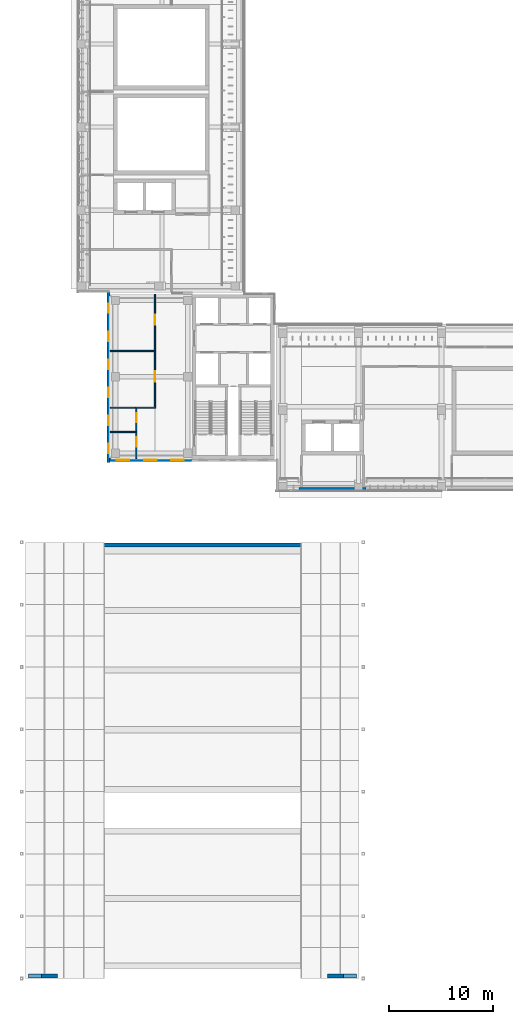
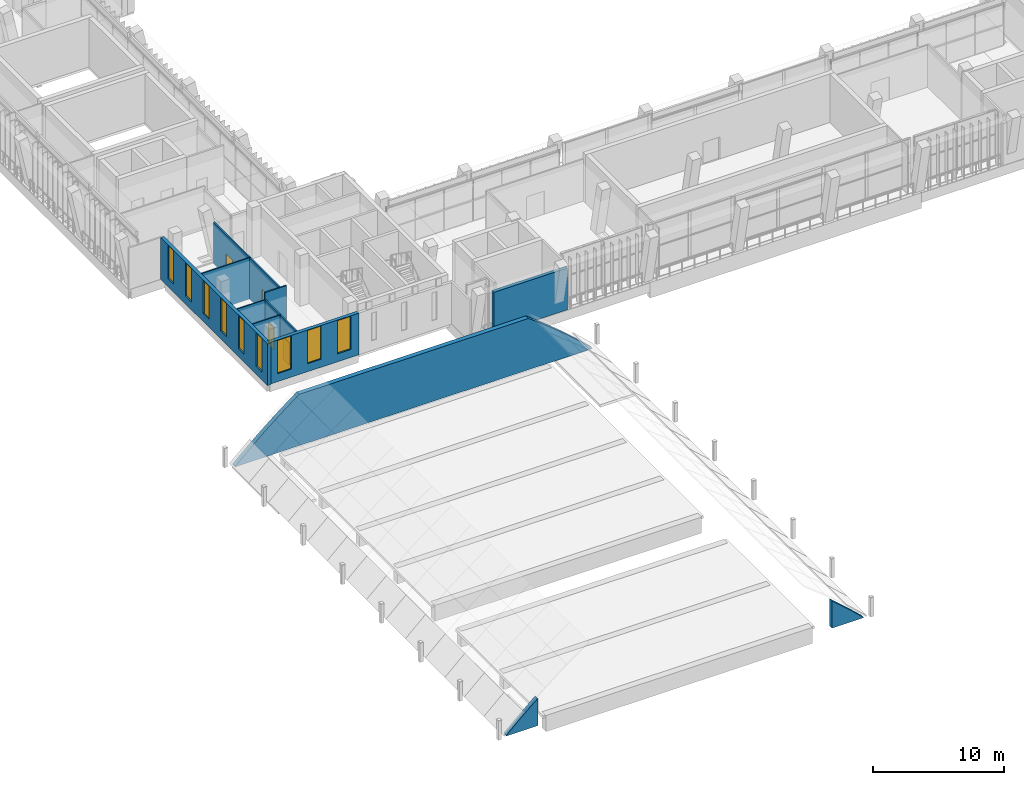
# One storey, part 57 of 89: 12 walls, 9 windows, 4 doors, 13 openings.
"""IFC4 building model written with IfcOpenShell, lengths in metres."""

from ifc_helpers import new_model, si_unit, direction, frame, frame_2d, origin, place, context, subcontext, project, spatial, polyline, rectangle, outline, extrude, material, layer, layer_set, type_object, element, fill, save


model = new_model("IFC4")

# Units and contexts
model_context = context("Model", 3, precision=1e-05, world=origin(), true_north=direction((0.0, 1.0)))
body_context = subcontext(model_context, "Body", "Model", "MODEL_VIEW")
ifc_project = project(units=[si_unit("LENGTHUNIT", "METRE"), si_unit("AREAUNIT", "SQUARE_METRE"), si_unit("VOLUMEUNIT", "CUBIC_METRE"), si_unit("PLANEANGLEUNIT", "RADIAN"), si_unit("MASSUNIT", "GRAM", prefix="KILO")], contexts=[model_context])

# Site, building, storey
site_placement = place(None, origin())
site = spatial("IfcSite", under=ifc_project, at=site_placement, CompositionType="ELEMENT")
building_placement = place(site_placement, origin())
building = spatial("IfcBuilding", under=site, at=building_placement, Name="Lantern Court Media Centre", CompositionType="ELEMENT")
storey_placement = place(building_placement, frame((0.0, 0.0, 14.39990234375)))
storey = spatial("IfcBuildingStorey", under=building, at=storey_placement, Name="L03", CompositionType="ELEMENT", Elevation=14.39990234375)

# Wall, openings, doors
ifc_material_1 = material(Name="Gypsum board partition")
ifc_layer_1 = layer(ifc_material_1, 0.125)
ifc_layer_set_1 = layer_set([ifc_layer_1], Name="Gypsum board partition")
wall_type_1 = type_object("IfcWallType", Name="Corridor partition 125", PredefinedType="PARTITIONING", material=ifc_layer_set_1)
wall_1_placement = place(storey_placement, frame((12.39990234375, 53.034912109375, 0.0), z_axis=(0.0, 0.0, 1.0), x_axis=(0.0, 1.0, 0.0)))
wall_1 = element("IfcWall", 1, at=wall_1_placement, inside=storey, type_object=wall_type_1, Name="L03 partition 046", PredefinedType="PARTITIONING", context=body_context, shape_type="SweptSolid", body=[
    extrude(rectangle(XDim=10.864990234375, YDim=0.125, at=frame_2d((5.4326171875, 0.0))), origin(), (0.0, 0.0, 1.0), 3.880126953125),
])
opening_1_placement = place(wall_1_placement, frame((2.4443359375, 0.0, 0.0)))
opening_1 = element("IfcOpeningElement", 2, at=opening_1_placement, cuts=wall_1, Name="Opening L03-034", PredefinedType="OPENING", context=body_context, shape_type="SweptSolid", body=[
    extrude(rectangle(XDim=1.0, YDim=2.10009765625, at=frame_2d((0.5, 1.050048828125))), frame((0.0, 0.072509765625, 0.0), z_axis=(0.0, -1.0, 0.0), x_axis=(1.0, 0.0, 0.0)), (0.0, 0.0, 1.0), 0.14501953125),
])
opening_2_placement = place(wall_1_placement, frame((7.908203125, 0.0, 0.0)))
opening_2 = element("IfcOpeningElement", 3, at=opening_2_placement, cuts=wall_1, Name="Opening L03-035", PredefinedType="OPENING", context=body_context, shape_type="SweptSolid", body=[
    extrude(rectangle(XDim=1.0, YDim=2.10009765625, at=frame_2d((0.5, 1.050048828125))), frame((0.0, 0.072509765625, 0.0), z_axis=(0.0, -1.0, 0.0), x_axis=(1.0, 0.0, 0.0)), (0.0, 0.0, 1.0), 0.14501953125),
])
ifc_material_2 = material(Name="Solid-core timber door leaf", Category="wood")
door_type_1 = type_object("IfcDoorType", Name="Single door 1000x2100", OperationType="NOTDEFINED", PredefinedType="DOOR", material=ifc_material_2)
door_1_placement = place(opening_1_placement, origin())
door_1 = element("IfcDoor", 4, at=door_1_placement, inside=storey, type_object=door_type_1, Name="L03 Media Library Reading Room 05 door", OperationType="SINGLE_SWING_LEFT", OverallHeight=2.10009765625, OverallWidth=1.0, PredefinedType="DOOR", context=body_context, shape_type="SweptSolid", body=[
    extrude(rectangle(XDim=1.0, YDim=2.10009765625, at=frame_2d((0.5, 1.050048828125))), frame((0.0, 0.02490234375, 0.0), z_axis=(0.0, -1.0, 0.0), x_axis=(1.0, 0.0, 0.0)), (0.0, 0.0, 1.0), 0.050048828125),
])
fill(opening_1, door_1)
door_2_placement = place(opening_2_placement, origin())
door_2 = element("IfcDoor", 5, at=door_2_placement, inside=storey, type_object=door_type_1, Name="L03 Media Library Reading Room 06 door", OperationType="SINGLE_SWING_RIGHT", OverallHeight=2.10009765625, OverallWidth=1.0, PredefinedType="DOOR", context=body_context, shape_type="SweptSolid", body=[
    extrude(rectangle(XDim=1.0, YDim=2.10009765625, at=frame_2d((0.5, 1.050048828125))), frame((0.0, 0.02490234375, 0.0), z_axis=(0.0, -1.0, 0.0), x_axis=(1.0, 0.0, 0.0)), (0.0, 0.0, 1.0), 0.050048828125),
])
fill(opening_2, door_2)

# Wall
wall_2_placement = place(storey_placement, frame((10.53759765625, 52.971923828125, 0.0), z_axis=(0.0, 0.0, 1.0), x_axis=(1.0, 0.0, 0.0)))
element("IfcWall", 6, at=wall_2_placement, inside=storey, type_object=wall_type_1, Name="L03 partition 049", PredefinedType="PARTITIONING", context=body_context, shape_type="SweptSolid", body=[
    extrude(rectangle(XDim=1.9248046875, YDim=0.125, at=frame_2d((0.96240234375, 0.0))), origin(), (0.0, 0.0, 1.0), 4.56005859375),
])

# Wall, openings, doors
wall_3_placement = place(storey_placement, frame((10.60009765625, 48.080078125, 0.0), z_axis=(0.0, 0.0, 1.0), x_axis=(0.0, 1.0, 0.0)))
wall_3 = element("IfcWall", 7, at=wall_3_placement, inside=storey, type_object=wall_type_1, Name="L03 partition 051", PredefinedType="PARTITIONING", context=body_context, shape_type="SweptSolid", body=[
    extrude(rectangle(XDim=4.829833984375, YDim=0.125, at=frame_2d((2.4150390625, 0.0))), origin(), (0.0, 0.0, 1.0), 3.880126953125),
])
opening_3_placement = place(wall_3_placement, frame((1.136474609375, 0.0, 0.0)))
opening_3 = element("IfcOpeningElement", 8, at=opening_3_placement, cuts=wall_3, Name="Opening L03-036", PredefinedType="OPENING", context=body_context, shape_type="SweptSolid", body=[
    extrude(rectangle(XDim=0.89990234375, YDim=2.10009765625, at=frame_2d((0.449951171875, 1.050048828125))), frame((0.0, 0.072509765625, 0.0), z_axis=(0.0, -1.0, 0.0), x_axis=(1.0, 0.0, 0.0)), (0.0, 0.0, 1.0), 0.14501953125),
])
opening_4_placement = place(wall_3_placement, frame((3.47265625, 0.0, 0.0)))
opening_4 = element("IfcOpeningElement", 9, at=opening_4_placement, cuts=wall_3, Name="Opening L03-037", PredefinedType="OPENING", context=body_context, shape_type="SweptSolid", body=[
    extrude(rectangle(XDim=0.89990234375, YDim=2.10009765625, at=frame_2d((0.449951171875, 1.050048828125))), frame((0.0, 0.072509765625, 0.0), z_axis=(0.0, -1.0, 0.0), x_axis=(1.0, 0.0, 0.0)), (0.0, 0.0, 1.0), 0.14501953125),
])
door_type_2 = type_object("IfcDoorType", Name="Single door 900x2100", OperationType="NOTDEFINED", PredefinedType="DOOR", material=ifc_material_2)
door_3_placement = place(opening_3_placement, origin())
door_3 = element("IfcDoor", 10, at=door_3_placement, inside=storey, type_object=door_type_2, Name="L03 WC Male door", OperationType="SINGLE_SWING_LEFT", OverallHeight=2.10009765625, OverallWidth=0.89990234375, PredefinedType="DOOR", context=body_context, shape_type="SweptSolid", body=[
    extrude(rectangle(XDim=0.89990234375, YDim=2.10009765625, at=frame_2d((0.449951171875, 1.050048828125))), frame((0.0, 0.02490234375, 0.0), z_axis=(0.0, -1.0, 0.0), x_axis=(1.0, 0.0, 0.0)), (0.0, 0.0, 1.0), 0.050048828125),
])
fill(opening_3, door_3)
door_4_placement = place(opening_4_placement, origin())
door_4 = element("IfcDoor", 11, at=door_4_placement, inside=storey, type_object=door_type_2, Name="L03 WC Female door", OperationType="SINGLE_SWING_RIGHT", OverallHeight=2.10009765625, OverallWidth=0.89990234375, PredefinedType="DOOR", context=body_context, shape_type="SweptSolid", body=[
    extrude(rectangle(XDim=0.89990234375, YDim=2.10009765625, at=frame_2d((0.449951171875, 1.050048828125))), frame((0.0, 0.02490234375, 0.0), z_axis=(0.0, -1.0, 0.0), x_axis=(1.0, 0.0, 0.0)), (0.0, 0.0, 1.0), 0.050048828125),
])
fill(opening_4, door_4)

# Walls
ifc_material_3 = material(Name="Limestone masonry, insulated", Category="masonry")
ifc_layer_2 = layer(ifc_material_3, 0.39990234375)
ifc_layer_set_2 = layer_set([ifc_layer_2], Name="Limestone masonry, insulated")
wall_type_2 = type_object("IfcWallType", Name="Hall upper gable wall, stone-faced masonry 400", PredefinedType="SOLIDWALL", material=ifc_layer_set_2)
wall_4_placement = place(storey_placement, frame((0.20947265625, -1.75, 0.0), z_axis=(0.0, 0.0, 1.0), x_axis=(1.0, 0.0, 0.0)))
element("IfcWall", 12, at=wall_4_placement, inside=storey, type_object=wall_type_2, Name="Cinema Hall south gable L03", PredefinedType="SOLIDWALL", context=body_context, shape_type="SweptSolid", body=[
    extrude(outline(polyline([(0.0, 0.0), (2.79052734375, 0.0), (2.79052734375, 2.54150390625), (2.55810546875, 2.345458984375), (2.325439453125, 2.1474609375), (2.093017578125, 1.947509765625), (1.8603515625, 1.745361328125), (1.627685546875, 1.541259765625), (1.395263671875, 1.334716796875), (1.16259765625, 1.126220703125), (0.93017578125, 0.91552734375), (0.697509765625, 0.70263671875), (0.465087890625, 0.4873046875), (0.232421875, 0.27001953125), (0.0, 0.050048828125), (0.0, 0.0)])), frame((0.0, 0.199951171875, 0.0), z_axis=(0.0, -1.0, 0.0), x_axis=(1.0, 0.0, 0.0)), (0.0, 0.0, 1.0), 0.39990234375),
])
wall_5_placement = place(storey_placement, frame((29.0, -1.75, 0.0), z_axis=(0.0, 0.0, 1.0), x_axis=(1.0, 0.0, 0.0)))
element("IfcWall", 13, at=wall_5_placement, inside=storey, type_object=wall_type_2, Name="Cinema Hall south gable L03", PredefinedType="SOLIDWALL", context=body_context, shape_type="SweptSolid", body=[
    extrude(outline(polyline([(0.0, 0.0), (2.79052734375, 0.0), (2.79052734375, 0.050048828125), (2.55810546875, 0.27001953125), (2.325439453125, 0.4873046875), (2.093017578125, 0.70263671875), (1.8603515625, 0.91552734375), (1.627685546875, 1.126220703125), (1.395263671875, 1.334716796875), (1.16259765625, 1.541259765625), (0.93017578125, 1.745361328125), (0.697509765625, 1.947509765625), (0.465087890625, 2.1474609375), (0.232421875, 2.345458984375), (0.0, 2.54150390625), (0.0, 0.0)])), frame((0.0, 0.199951171875, 0.0), z_axis=(0.0, -1.0, 0.0), x_axis=(1.0, 0.0, 0.0)), (0.0, 0.0, 1.0), 0.39990234375),
])
wall_6_placement = place(storey_placement, frame((0.20947265625, 39.75, 0.0), z_axis=(0.0, 0.0, 1.0), x_axis=(1.0, 0.0, 0.0)))
element("IfcWall", 14, at=wall_6_placement, inside=storey, type_object=wall_type_2, Name="Cinema Hall north gable L03", PredefinedType="SOLIDWALL", context=body_context, shape_type="SweptSolid", body=[
    extrude(outline(polyline([(0.0, 0.0), (31.5810546875, 0.0), (31.581298828125, 0.050048828125), (31.33251953125, 0.28515625), (31.083740234375, 0.517333984375), (30.835205078125, 0.7470703125), (30.58642578125, 0.974365234375), (30.337890625, 1.198974609375), (30.089111328125, 1.4208984375), (29.840576171875, 1.640625), (29.591796875, 1.85791015625), (29.343017578125, 2.072509765625), (29.094482421875, 2.284912109375), (28.845703125, 2.4951171875), (28.59716796875, 2.702880859375), (28.348388671875, 2.908447265625), (28.099853515625, 3.11181640625), (27.85107421875, 3.312744140625), (27.602294921875, 3.51171875), (27.353759765625, 3.70849609375), (27.10498046875, 3.903076171875), (26.8564453125, 4.095703125), (26.607666015625, 4.2861328125), (26.359130859375, 4.474609375), (26.1103515625, 4.6611328125), (25.923095703125, 4.800048828125), (25.86181640625, 4.800048828125), (25.613037109375, 4.800048828125), (25.364501953125, 4.800048828125), (25.11572265625, 4.800048828125), (24.8671875, 4.800048828125), (24.618408203125, 4.800048828125), (24.36962890625, 4.800048828125), (24.12109375, 4.800048828125), (23.872314453125, 4.800048828125), (23.623779296875, 4.800048828125), (23.375, 4.800048828125), (23.12646484375, 4.800048828125), (22.877685546875, 4.800048828125), (22.62890625, 4.800048828125), (22.38037109375, 4.800048828125), (22.131591796875, 4.800048828125), (21.883056640625, 4.800048828125), (21.63427734375, 4.800048828125), (21.3857421875, 4.800048828125), (21.136962890625, 4.800048828125), (20.88818359375, 4.800048828125), (20.6396484375, 4.800048828125), (20.39111328125, 4.800048828125), (20.142333984375, 4.800048828125), (19.8935546875, 4.800048828125), (19.64501953125, 4.800048828125), (19.396240234375, 4.800048828125), (19.147705078125, 4.800048828125), (18.89892578125, 4.800048828125), (18.650390625, 4.800048828125), (18.401611328125, 4.800048828125), (18.15283203125, 4.800048828125), (17.904296875, 4.800048828125), (17.655517578125, 4.800048828125), (17.406982421875, 4.800048828125), (17.158203125, 4.800048828125), (16.90966796875, 4.800048828125), (16.660888671875, 4.800048828125), (16.412353515625, 4.800048828125), (16.16357421875, 4.800048828125), (15.914794921875, 4.800048828125), (15.666259765625, 4.800048828125), (15.41748046875, 4.800048828125), (15.1689453125, 4.800048828125), (14.920166015625, 4.800048828125), (14.671630859375, 4.800048828125), (14.4228515625, 4.800048828125), (14.17431640625, 4.800048828125), (13.925537109375, 4.800048828125), (13.677001953125, 4.800048828125), (13.42822265625, 4.800048828125), (13.179443359375, 4.800048828125), (12.930908203125, 4.800048828125), (12.68212890625, 4.800048828125), (12.43359375, 4.800048828125), (12.184814453125, 4.800048828125), (11.936279296875, 4.800048828125), (11.6875, 4.800048828125), (11.438720703125, 4.800048828125), (11.190185546875, 4.800048828125), (10.94140625, 4.800048828125), (10.69287109375, 4.800048828125), (10.444091796875, 4.800048828125), (10.195556640625, 4.800048828125), (9.94677734375, 4.800048828125), (9.6982421875, 4.800048828125), (9.449462890625, 4.800048828125), (9.20068359375, 4.800048828125), (8.9521484375, 4.800048828125), (8.70361328125, 4.800048828125), (8.454833984375, 4.800048828125), (8.2060546875, 4.800048828125), (7.95751953125, 4.800048828125), (7.708740234375, 4.800048828125), (7.460205078125, 4.800048828125), (7.21142578125, 4.800048828125), (6.962890625, 4.800048828125), (6.714111328125, 4.800048828125), (6.46533203125, 4.800048828125), (6.216796875, 4.800048828125), (5.968017578125, 4.800048828125), (5.719482421875, 4.800048828125), (5.657958984375, 4.800048828125), (5.470703125, 4.6611328125), (5.22216796875, 4.474609375), (4.973388671875, 4.2861328125), (4.724609375, 4.095703125), (4.47607421875, 3.903076171875), (4.227294921875, 3.70849609375), (3.978759765625, 3.51171875), (3.72998046875, 3.312744140625), (3.4814453125, 3.11181640625), (3.232666015625, 2.908447265625), (2.98388671875, 2.702880859375), (2.7353515625, 2.4951171875), (2.48681640625, 2.284912109375), (2.238037109375, 2.072509765625), (1.989501953125, 1.85791015625), (1.74072265625, 1.640625), (1.491943359375, 1.4208984375), (1.243408203125, 1.198974609375), (0.99462890625, 0.974365234375), (0.74609375, 0.7470703125), (0.497314453125, 0.517333984375), (0.248779296875, 0.28515625), (0.0, 0.050048828125), (0.0, 0.0)])), frame((0.0, 0.199951171875, 0.0), z_axis=(0.0, -1.0, 0.0), x_axis=(1.0, 0.0, 0.0)), (0.0, 0.0, 1.0), 0.39990234375),
])

# Wall, openings, windows
ifc_material_4 = material(Name="Honed limestone cladding on blockwork", Category="masonry")
ifc_layer_3 = layer(ifc_material_4, 0.300048828125)
ifc_layer_set_3 = layer_set([ifc_layer_3], Name="Honed limestone cladding on blockwork")
wall_type_3 = type_object("IfcWallType", Name="Limestone block wall 300", PredefinedType="SOLIDWALL", material=ifc_layer_set_3)
wall_7_placement = place(storey_placement, frame((7.929931640625, 47.699951171875, 0.0), z_axis=(0.0, 0.0, 1.0), x_axis=(0.0, 1.0, 0.0)))
wall_7 = element("IfcWall", 15, at=wall_7_placement, inside=storey, type_object=wall_type_3, Name="Limestone wall SW W L03", PredefinedType="SOLIDWALL", context=body_context, shape_type="SweptSolid", body=[
    extrude(rectangle(XDim=16.400146484375, YDim=0.300048828125, at=frame_2d((8.2001953125, 0.0))), origin(), (0.0, 0.0, 1.0), 3.900146484375),
])
opening_5_placement = place(wall_7_placement, frame((0.89990234375, 0.0, 0.75)))
opening_5 = element("IfcOpeningElement", 16, at=opening_5_placement, cuts=wall_7, Name="Opening WN-N", PredefinedType="OPENING", context=body_context, shape_type="SweptSolid", body=[
    extrude(rectangle(XDim=0.89990234375, YDim=3.10009765625, at=frame_2d((0.449951171875, 1.550048828125))), frame((0.0, 0.159912109375, 0.0), z_axis=(0.0, -1.0, 0.0), x_axis=(1.0, 0.0, 0.0)), (0.0, 0.0, 1.0), 0.320068359375),
])
opening_6_placement = place(wall_7_placement, frame((3.60009765625, 0.0, 0.75)))
opening_6 = element("IfcOpeningElement", 17, at=opening_6_placement, cuts=wall_7, Name="Opening WN-N", PredefinedType="OPENING", context=body_context, shape_type="SweptSolid", body=[
    extrude(rectangle(XDim=0.89990234375, YDim=3.10009765625, at=frame_2d((0.449951171875, 1.550048828125))), frame((0.0, 0.159912109375, 0.0), z_axis=(0.0, -1.0, 0.0), x_axis=(1.0, 0.0, 0.0)), (0.0, 0.0, 1.0), 0.320068359375),
])
opening_7_placement = place(wall_7_placement, frame((6.300048828125, 0.0, 0.75)))
opening_7 = element("IfcOpeningElement", 18, at=opening_7_placement, cuts=wall_7, Name="Opening WN-N", PredefinedType="OPENING", context=body_context, shape_type="SweptSolid", body=[
    extrude(rectangle(XDim=0.89990234375, YDim=3.10009765625, at=frame_2d((0.449951171875, 1.550048828125))), frame((0.0, 0.159912109375, 0.0), z_axis=(0.0, -1.0, 0.0), x_axis=(1.0, 0.0, 0.0)), (0.0, 0.0, 1.0), 0.320068359375),
])
opening_8_placement = place(wall_7_placement, frame((9.0, 0.0, 0.75)))
opening_8 = element("IfcOpeningElement", 19, at=opening_8_placement, cuts=wall_7, Name="Opening WN-N", PredefinedType="OPENING", context=body_context, shape_type="SweptSolid", body=[
    extrude(rectangle(XDim=0.89990234375, YDim=3.10009765625, at=frame_2d((0.449951171875, 1.550048828125))), frame((0.0, 0.159912109375, 0.0), z_axis=(0.0, -1.0, 0.0), x_axis=(1.0, 0.0, 0.0)), (0.0, 0.0, 1.0), 0.320068359375),
])
opening_9_placement = place(wall_7_placement, frame((11.699951171875, 0.0, 0.75)))
opening_9 = element("IfcOpeningElement", 20, at=opening_9_placement, cuts=wall_7, Name="Opening WN-N", PredefinedType="OPENING", context=body_context, shape_type="SweptSolid", body=[
    extrude(rectangle(XDim=0.89990234375, YDim=3.10009765625, at=frame_2d((0.449951171875, 1.550048828125))), frame((0.0, 0.159912109375, 0.0), z_axis=(0.0, -1.0, 0.0), x_axis=(1.0, 0.0, 0.0)), (0.0, 0.0, 1.0), 0.320068359375),
])
opening_10_placement = place(wall_7_placement, frame((14.39990234375, 0.0, 0.75)))
opening_10 = element("IfcOpeningElement", 21, at=opening_10_placement, cuts=wall_7, Name="Opening WN-N", PredefinedType="OPENING", context=body_context, shape_type="SweptSolid", body=[
    extrude(rectangle(XDim=0.89990234375, YDim=3.10009765625, at=frame_2d((0.449951171875, 1.550048828125))), frame((0.0, 0.159912109375, 0.0), z_axis=(0.0, -1.0, 0.0), x_axis=(1.0, 0.0, 0.0)), (0.0, 0.0, 1.0), 0.320068359375),
])
ifc_material_5 = material(Name="Anodised aluminium and glass", Category="aluminium")
window_type_1 = type_object("IfcWindowType", Name="Pier window 900x3100", PartitioningType="SINGLE_PANEL", PredefinedType="WINDOW", material=ifc_material_5)
window_1_placement = place(opening_5_placement, origin())
window_1 = element("IfcWindow", 22, at=window_1_placement, inside=storey, type_object=window_type_1, Name="Window SW W L03", OverallHeight=3.10009765625, OverallWidth=0.89990234375, PartitioningType="SINGLE_PANEL", PredefinedType="WINDOW", context=body_context, shape_type="SweptSolid", body=[
    extrude(rectangle(XDim=0.89990234375, YDim=3.10009765625, at=frame_2d((0.449951171875, 1.550048828125))), frame((0.0, 0.030029296875, 0.0), z_axis=(0.0, -1.0, 0.0), x_axis=(1.0, 0.0, 0.0)), (0.0, 0.0, 1.0), 0.06005859375),
])
fill(opening_5, window_1)
window_2_placement = place(opening_6_placement, origin())
window_2 = element("IfcWindow", 23, at=window_2_placement, inside=storey, type_object=window_type_1, Name="Window SW W L03", OverallHeight=3.10009765625, OverallWidth=0.89990234375, PartitioningType="SINGLE_PANEL", PredefinedType="WINDOW", context=body_context, shape_type="SweptSolid", body=[
    extrude(rectangle(XDim=0.89990234375, YDim=3.10009765625, at=frame_2d((0.449951171875, 1.550048828125))), frame((0.0, 0.030029296875, 0.0), z_axis=(0.0, -1.0, 0.0), x_axis=(1.0, 0.0, 0.0)), (0.0, 0.0, 1.0), 0.06005859375),
])
fill(opening_6, window_2)
window_3_placement = place(opening_7_placement, origin())
window_3 = element("IfcWindow", 24, at=window_3_placement, inside=storey, type_object=window_type_1, Name="Window SW W L03", OverallHeight=3.10009765625, OverallWidth=0.89990234375, PartitioningType="SINGLE_PANEL", PredefinedType="WINDOW", context=body_context, shape_type="SweptSolid", body=[
    extrude(rectangle(XDim=0.89990234375, YDim=3.10009765625, at=frame_2d((0.449951171875, 1.550048828125))), frame((0.0, 0.030029296875, 0.0), z_axis=(0.0, -1.0, 0.0), x_axis=(1.0, 0.0, 0.0)), (0.0, 0.0, 1.0), 0.06005859375),
])
fill(opening_7, window_3)
window_4_placement = place(opening_8_placement, origin())
window_4 = element("IfcWindow", 25, at=window_4_placement, inside=storey, type_object=window_type_1, Name="Window SW W L03", OverallHeight=3.10009765625, OverallWidth=0.89990234375, PartitioningType="SINGLE_PANEL", PredefinedType="WINDOW", context=body_context, shape_type="SweptSolid", body=[
    extrude(rectangle(XDim=0.89990234375, YDim=3.10009765625, at=frame_2d((0.449951171875, 1.550048828125))), frame((0.0, 0.030029296875, 0.0), z_axis=(0.0, -1.0, 0.0), x_axis=(1.0, 0.0, 0.0)), (0.0, 0.0, 1.0), 0.06005859375),
])
fill(opening_8, window_4)
window_5_placement = place(opening_9_placement, origin())
window_5 = element("IfcWindow", 26, at=window_5_placement, inside=storey, type_object=window_type_1, Name="Window SW W L03", OverallHeight=3.10009765625, OverallWidth=0.89990234375, PartitioningType="SINGLE_PANEL", PredefinedType="WINDOW", context=body_context, shape_type="SweptSolid", body=[
    extrude(rectangle(XDim=0.89990234375, YDim=3.10009765625, at=frame_2d((0.449951171875, 1.550048828125))), frame((0.0, 0.030029296875, 0.0), z_axis=(0.0, -1.0, 0.0), x_axis=(1.0, 0.0, 0.0)), (0.0, 0.0, 1.0), 0.06005859375),
])
fill(opening_9, window_5)
window_6_placement = place(opening_10_placement, origin())
window_6 = element("IfcWindow", 27, at=window_6_placement, inside=storey, type_object=window_type_1, Name="Window SW W L03", OverallHeight=3.10009765625, OverallWidth=0.89990234375, PartitioningType="SINGLE_PANEL", PredefinedType="WINDOW", context=body_context, shape_type="SweptSolid", body=[
    extrude(rectangle(XDim=0.89990234375, YDim=3.10009765625, at=frame_2d((0.449951171875, 1.550048828125))), frame((0.0, 0.030029296875, 0.0), z_axis=(0.0, -1.0, 0.0), x_axis=(1.0, 0.0, 0.0)), (0.0, 0.0, 1.0), 0.06005859375),
])
fill(opening_10, window_6)

wall_8_placement = place(storey_placement, frame((8.0, 47.929931640625, 0.0), z_axis=(0.0, 0.0, 1.0), x_axis=(1.0, 0.0, 0.0)))
wall_8 = element("IfcWall", 28, at=wall_8_placement, inside=storey, type_object=wall_type_3, Name="Limestone wall SW S L03", PredefinedType="SOLIDWALL", context=body_context, shape_type="SweptSolid", body=[
    extrude(rectangle(XDim=7.89990234375, YDim=0.300048828125, at=frame_2d((3.949951171875, 0.0))), origin(), (0.0, 0.0, 1.0), 3.900146484375),
])
opening_11_placement = place(wall_8_placement, frame((0.716552734375, 0.0, 0.75)))
opening_11 = element("IfcOpeningElement", 29, at=opening_11_placement, cuts=wall_8, Name="Opening WN-T", PredefinedType="OPENING", context=body_context, shape_type="SweptSolid", body=[
    extrude(rectangle(XDim=1.199951171875, YDim=3.10009765625, at=frame_2d((0.60009765625, 1.550048828125))), frame((0.0, 0.159912109375, 0.0), z_axis=(0.0, -1.0, 0.0), x_axis=(1.0, 0.0, 0.0)), (0.0, 0.0, 1.0), 0.320068359375),
])
opening_12_placement = place(wall_8_placement, frame((3.35009765625, 0.0, 0.75)))
opening_12 = element("IfcOpeningElement", 30, at=opening_12_placement, cuts=wall_8, Name="Opening WN-T", PredefinedType="OPENING", context=body_context, shape_type="SweptSolid", body=[
    extrude(rectangle(XDim=1.199951171875, YDim=3.10009765625, at=frame_2d((0.60009765625, 1.550048828125))), frame((0.0, 0.159912109375, 0.0), z_axis=(0.0, -1.0, 0.0), x_axis=(1.0, 0.0, 0.0)), (0.0, 0.0, 1.0), 0.320068359375),
])
opening_13_placement = place(wall_8_placement, frame((5.9833984375, 0.0, 0.75)))
opening_13 = element("IfcOpeningElement", 31, at=opening_13_placement, cuts=wall_8, Name="Opening WN-T", PredefinedType="OPENING", context=body_context, shape_type="SweptSolid", body=[
    extrude(rectangle(XDim=1.199951171875, YDim=3.10009765625, at=frame_2d((0.60009765625, 1.550048828125))), frame((0.0, 0.159912109375, 0.0), z_axis=(0.0, -1.0, 0.0), x_axis=(1.0, 0.0, 0.0)), (0.0, 0.0, 1.0), 0.320068359375),
])
window_type_2 = type_object("IfcWindowType", Name="Tall window 1200x3100", PartitioningType="SINGLE_PANEL", PredefinedType="WINDOW", material=ifc_material_5)
window_7_placement = place(opening_11_placement, origin())
window_7 = element("IfcWindow", 32, at=window_7_placement, inside=storey, type_object=window_type_2, Name="Window SW S L03", OverallHeight=3.10009765625, OverallWidth=1.199951171875, PartitioningType="SINGLE_PANEL", PredefinedType="WINDOW", context=body_context, shape_type="SweptSolid", body=[
    extrude(rectangle(XDim=1.199951171875, YDim=3.10009765625, at=frame_2d((0.60009765625, 1.550048828125))), frame((0.0, 0.030029296875, 0.0), z_axis=(0.0, -1.0, 0.0), x_axis=(1.0, 0.0, 0.0)), (0.0, 0.0, 1.0), 0.06005859375),
])
fill(opening_11, window_7)
window_8_placement = place(opening_12_placement, origin())
window_8 = element("IfcWindow", 33, at=window_8_placement, inside=storey, type_object=window_type_2, Name="Window SW S L03", OverallHeight=3.10009765625, OverallWidth=1.199951171875, PartitioningType="SINGLE_PANEL", PredefinedType="WINDOW", context=body_context, shape_type="SweptSolid", body=[
    extrude(rectangle(XDim=1.199951171875, YDim=3.10009765625, at=frame_2d((0.60009765625, 1.550048828125))), frame((0.0, 0.030029296875, 0.0), z_axis=(0.0, -1.0, 0.0), x_axis=(1.0, 0.0, 0.0)), (0.0, 0.0, 1.0), 0.06005859375),
])
fill(opening_12, window_8)
window_9_placement = place(opening_13_placement, origin())
window_9 = element("IfcWindow", 34, at=window_9_placement, inside=storey, type_object=window_type_2, Name="Window SW S L03", OverallHeight=3.10009765625, OverallWidth=1.199951171875, PartitioningType="SINGLE_PANEL", PredefinedType="WINDOW", context=body_context, shape_type="SweptSolid", body=[
    extrude(rectangle(XDim=1.199951171875, YDim=3.10009765625, at=frame_2d((0.60009765625, 1.550048828125))), frame((0.0, 0.030029296875, 0.0), z_axis=(0.0, -1.0, 0.0), x_axis=(1.0, 0.0, 0.0)), (0.0, 0.0, 1.0), 0.06005859375),
])
fill(opening_13, window_9)

# Walls
ifc_layer_4 = layer(ifc_material_4, 0.300048828125)
ifc_layer_set_4 = layer_set([ifc_layer_4], Name="Honed limestone cladding on blockwork")
wall_type_4 = type_object("IfcWallType", Name="Limestone flank wall 300", PredefinedType="SOLIDWALL", material=ifc_layer_set_4)
wall_9_placement = place(storey_placement, frame((26.25, 45.14990234375, 0.0), z_axis=(0.0, 0.0, 1.0), x_axis=(1.0, 0.0, 0.0)))
element("IfcWall", 35, at=wall_9_placement, inside=storey, type_object=wall_type_4, Name="Limestone flank wall S outer L03", PredefinedType="SOLIDWALL", context=body_context, shape_type="SweptSolid", body=[
    extrude(rectangle(XDim=6.5, YDim=0.300048828125, at=frame_2d((3.25, 0.0))), origin(), (0.0, 0.0, 1.0), 3.900146484375),
])
ifc_layer_5 = layer(ifc_material_1, 0.10009765625)
ifc_layer_set_5 = layer_set([ifc_layer_5], Name="Gypsum board partition")
wall_type_5 = type_object("IfcWallType", Name="Partition 100", PredefinedType="PARTITIONING", material=ifc_layer_set_5)
wall_10_placement = place(storey_placement, frame((8.080078125, 52.971923828125, 0.0), z_axis=(0.0, 0.0, 1.0), x_axis=(1.0, 0.0, 0.0)))
element("IfcWall", 36, at=wall_10_placement, inside=storey, type_object=wall_type_5, Name="L03 partition 048", PredefinedType="PARTITIONING", context=body_context, shape_type="SweptSolid", body=[
    extrude(rectangle(XDim=2.58251953125, YDim=0.10009765625, at=frame_2d((1.291259765625, 0.0))), origin(), (0.0, 0.0, 1.0), 3.880126953125),
])
wall_11_placement = place(storey_placement, frame((8.080078125, 58.43603515625, 0.0), z_axis=(0.0, 0.0, 1.0), x_axis=(1.0, 0.0, 0.0)))
element("IfcWall", 37, at=wall_11_placement, inside=storey, type_object=wall_type_5, Name="L03 partition 050", PredefinedType="PARTITIONING", context=body_context, shape_type="SweptSolid", body=[
    extrude(rectangle(XDim=4.38232421875, YDim=0.10009765625, at=frame_2d((2.191162109375, 0.0))), origin(), (0.0, 0.0, 1.0), 3.880126953125),
])
wall_12_placement = place(storey_placement, frame((8.080078125, 50.635986328125, 0.0), z_axis=(0.0, 0.0, 1.0), x_axis=(1.0, 0.0, 0.0)))
element("IfcWall", 38, at=wall_12_placement, inside=storey, type_object=wall_type_5, Name="L03 partition 053", PredefinedType="PARTITIONING", context=body_context, shape_type="SweptSolid", body=[
    extrude(rectangle(XDim=2.58251953125, YDim=0.10009765625, at=frame_2d((1.291259765625, 0.0))), origin(), (0.0, 0.0, 1.0), 3.880126953125),
])

save(model, "model.ifc")
